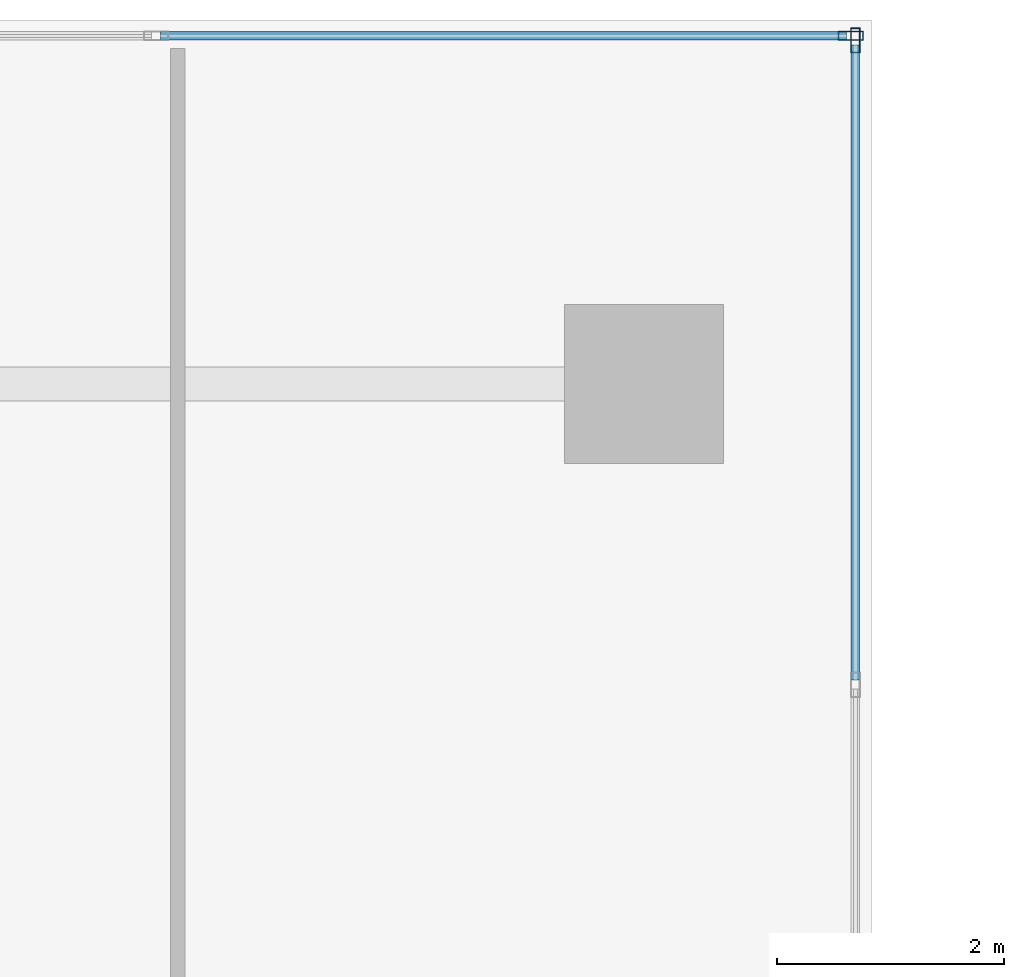
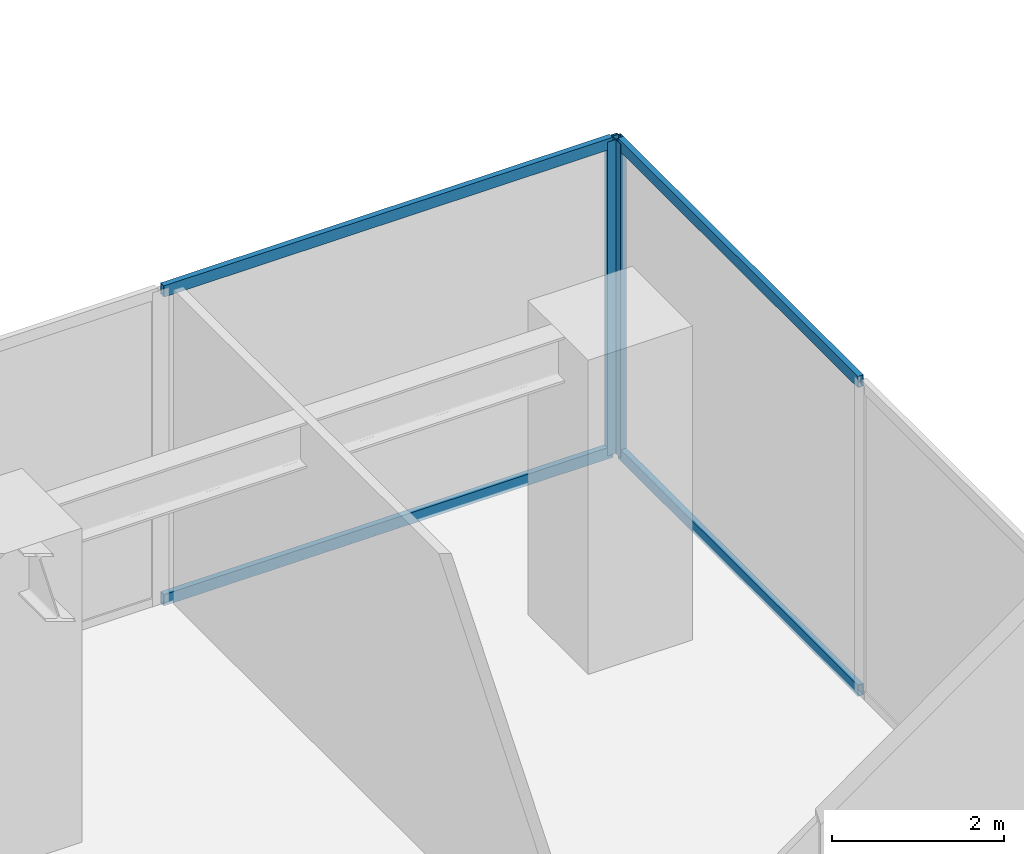
# One storey, part 7 of 16: 6 members, 2 elements without a shape of their own.
"""IFC4 building model written with IfcOpenShell, lengths in metres."""

import ifcopenshell
import ifcopenshell.guid

model = None  # the IFC model being written
_history = None  # IfcOwnerHistory: only IFC2X3 demands one
_inside = {}  # id of a spatial element -> (the spatial element, [elements in it])
_under = {}  # id of a project, library or spatial element -> (it, [spatial elements below it])
_declared = {}  # id of a project -> (the project, [libraries it declares])
_typed = {}  # id of a type object -> (the type object, [elements of that type])
_made_of = {}  # id of a material, layer set ... -> (it, [elements and type objects made of it])


def new_model(schema):
    """Start an empty IFC model of exactly this schema.

    Asked for "IFC4X3", IfcOpenShell would pick the latest addendum, in which some entities
    have other attributes; the version numbers below select the first issue.
    IFC2X3 requires an IfcOwnerHistory on every rooted entity: one is made here for all.
    """
    global model, _history
    if schema == "IFC4X3":
        model = ifcopenshell.file(schema_version=(4, 3, 0, 0))
    else:
        model = ifcopenshell.file(schema=schema)
    _inside.clear()
    _under.clear()
    _declared.clear()
    _typed.clear()
    _made_of.clear()
    _history = None
    if model.schema == "IFC2X3":
        org = make("IfcOrganization", Name="unknown")
        user = make(
            "IfcPersonAndOrganization",
            ThePerson=make("IfcPerson", FamilyName="unknown"),
            TheOrganization=org,
        )
        app = make(
            "IfcApplication",
            ApplicationDeveloper=org,
            Version="unknown",
            ApplicationFullName="unknown",
            ApplicationIdentifier="unknown",
        )
        _history = make(
            "IfcOwnerHistory",
            OwningUser=user,
            OwningApplication=app,
            ChangeAction="ADDED",
            CreationDate=0,
        )
    return model


def make(cls, **values):
    """One entity of the class cls with the attributes given. An attribute that is None is left unset."""
    return model.create_entity(
        cls, **{name: value for name, value in values.items() if value is not None}
    )


def rooted(cls, **values):
    """An entity with a GlobalId (a new one), such as an element, a storey or a relation."""
    return make(cls, GlobalId=ifcopenshell.guid.new(), OwnerHistory=_history, **values)


def si_unit(unit_type, name, prefix=None):
    """IfcSIUnit, for example si_unit("LENGTHUNIT", "METRE", prefix="MILLI")."""
    return make("IfcSIUnit", UnitType=unit_type, Prefix=prefix, Name=name)


def assignment(units):
    """IfcUnitAssignment: the units of a project."""
    return None if units is None else make("IfcUnitAssignment", Units=units)


def point(xyz):
    """IfcCartesianPoint."""
    return None if xyz is None else make("IfcCartesianPoint", Coordinates=xyz)


def direction(xyz):
    """IfcDirection."""
    return None if xyz is None else make("IfcDirection", DirectionRatios=xyz)


def frame(location, z_axis=None, x_axis=None):
    """IfcAxis2Placement3D, a coordinate frame: its origin and axes. An axis left out is left unset."""
    return make(
        "IfcAxis2Placement3D",
        Location=point(location),
        Axis=direction(z_axis),
        RefDirection=direction(x_axis),
    )


def frame_2d(location, x_axis=None):
    """IfcAxis2Placement2D, a coordinate frame in the plane: its origin and x axis."""
    return make(
        "IfcAxis2Placement2D", Location=point(location), RefDirection=direction(x_axis)
    )


def origin():
    """The frame at (0, 0, 0) with its axes left unset."""
    return frame((0.0, 0.0, 0.0))


def origin_with_axes():
    """The frame at (0, 0, 0) with the z axis (0, 0, 1) and the x axis (1, 0, 0) written out."""
    return frame((0.0, 0.0, 0.0), z_axis=(0.0, 0.0, 1.0), x_axis=(1.0, 0.0, 0.0))


def origin_2d():
    """The frame at (0, 0) in the plane with its x axis left unset."""
    return frame_2d((0.0, 0.0))


def place(relative_to, where):
    """IfcLocalPlacement: puts the frame where relative to a parent placement (None: the world)."""
    return make(
        "IfcLocalPlacement", PlacementRelTo=relative_to, RelativePlacement=where
    )


def context(
    kind, dimensions, precision=None, world=None, true_north=None, identifier=None
):
    """IfcGeometricRepresentationContext, for example the 3D "Model" context."""
    return make(
        "IfcGeometricRepresentationContext",
        ContextIdentifier=identifier,
        ContextType=kind,
        CoordinateSpaceDimension=dimensions,
        Precision=precision,
        WorldCoordinateSystem=world,
        TrueNorth=true_north,
    )


def subcontext(parent, identifier, kind, view, scale=None):
    """IfcGeometricRepresentationSubContext, for example "Body" below "Model"."""
    return make(
        "IfcGeometricRepresentationSubContext",
        ContextIdentifier=identifier,
        ContextType=kind,
        ParentContext=parent,
        TargetScale=scale,
        TargetView=view,
    )


def project(units=None, contexts=None):
    """IfcProject with its units and contexts."""
    return rooted(
        "IfcProject",
        Name="project",
        RepresentationContexts=contexts,
        UnitsInContext=assignment(units),
    )


def spatial(cls, under=None, at=None, **own):
    """A site, building, storey or space (cls), placed at a placement, below another one or the project."""
    s = rooted(cls, ObjectPlacement=at, **own)
    if under is not None:
        _under.setdefault(under.id(), (under, []))[1].append(s)
    return s


def profile(cls, at=None, kind="AREA", **sizes):
    """A parametric profile (cls). Its sizes go by their IFC names, for example OverallWidth=200.0."""
    return make(cls, ProfileType=kind, Position=at, **sizes)


def hollow_rectangle(**sizes):
    """IfcRectangleHollowProfileDef."""
    return profile("IfcRectangleHollowProfileDef", **sizes)


def extrude(swept, where, along, depth):
    """IfcExtrudedAreaSolid: the profile swept, set in the frame where, extruded along a direction by depth."""
    return make(
        "IfcExtrudedAreaSolid",
        SweptArea=swept,
        Position=where,
        ExtrudedDirection=direction(along),
        Depth=depth,
    )


def shape(context_of_items, identifier, shape_type, items):
    """IfcShapeRepresentation: the items that make up one representation, for example the "Body"."""
    return make(
        "IfcShapeRepresentation",
        ContextOfItems=context_of_items,
        RepresentationIdentifier=identifier,
        RepresentationType=shape_type,
        Items=items,
    )


def source(mapping_origin, context_of_items, identifier, shape_type, items):
    """IfcRepresentationMap: a shape defined once, which mapped items show again and again."""
    return make(
        "IfcRepresentationMap",
        MappingOrigin=mapping_origin,
        MappedRepresentation=shape(context_of_items, identifier, shape_type, items),
    )


def transform(
    local_origin,
    x_axis=None,
    y_axis=None,
    z_axis=None,
    scale=None,
    scale2=None,
    scale3=None,
    uniform=True,
):
    """IfcCartesianTransformationOperator3D, or its non-uniform kind. x_axis, y_axis, z_axis: its Axis1, 2, 3."""
    if uniform:
        return make(
            "IfcCartesianTransformationOperator3D",
            Axis1=direction(x_axis),
            Axis2=direction(y_axis),
            LocalOrigin=point(local_origin),
            Scale=scale,
            Axis3=direction(z_axis),
        )
    return make(
        "IfcCartesianTransformationOperator3DnonUniform",
        Axis1=direction(x_axis),
        Axis2=direction(y_axis),
        LocalOrigin=point(local_origin),
        Scale=scale,
        Axis3=direction(z_axis),
        Scale2=scale2,
        Scale3=scale3,
    )


def mapped(mapping_source, mapping_target):
    """IfcMappedItem: shows the shape of a source again, moved by a transform."""
    return make(
        "IfcMappedItem", MappingSource=mapping_source, MappingTarget=mapping_target
    )


def material(Name=None, Category=None):
    """IfcMaterial."""
    return make("IfcMaterial", Name=Name, Category=Category)


def layer(
    of_material, thickness, ventilated=None, Name=None, Category=None, Priority=None
):
    """IfcMaterialLayer: one layer of a wall or slab, of a material (None: an air gap)."""
    return make(
        "IfcMaterialLayer",
        Material=of_material,
        LayerThickness=thickness,
        IsVentilated=ventilated,
        Name=Name,
        Category=Category,
        Priority=Priority,
    )


def layer_set(layers, Name=None):
    """IfcMaterialLayerSet."""
    return make("IfcMaterialLayerSet", MaterialLayers=layers, LayerSetName=Name)


def material_profile(
    of_material, cross_section, Name=None, Category=None, Priority=None
):
    """IfcMaterialProfile: a cross section and its material."""
    return make(
        "IfcMaterialProfile",
        Name=Name,
        Material=of_material,
        Profile=cross_section,
        Priority=Priority,
        Category=Category,
    )


def profile_set(profiles, Name=None, composite=None):
    """IfcMaterialProfileSet."""
    return make(
        "IfcMaterialProfileSet",
        Name=Name,
        MaterialProfiles=profiles,
        CompositeProfile=composite,
    )


def made_of(thing, what):
    """Note that an element or type object is made of a material, layer set ...; save() writes the relation."""
    if what is not None:
        _made_of.setdefault(what.id(), (what, []))[1].append(thing)
    return thing


def type_object(cls, material=None, **own):
    """A type object (cls), such as IfcWallType, which elements share."""
    return made_of(rooted(cls, **own), material)


def element(
    cls,
    number,
    at=None,
    inside=None,
    cuts=None,
    type_object=None,
    material=None,
    context=None,
    identifier="Body",
    shape_type=None,
    held_by="IfcProductDefinitionShape",
    body=None,
    shapes=None,
    **own,
):
    """One element of the class cls, such as IfcWall. Its Tag is "e" and its number.

    at: its placement. inside: the storey or other place that contains it. cuts: it is an
    opening in that element (IfcRelVoidsElement). A single representation is given by context,
    identifier, shape_type and body (its items); several are given by shapes. held_by: the class
    of the entity that holds the representations. save() writes the other relations.
    """
    e = rooted(cls, Tag="e%d" % number, ObjectPlacement=at, **own)
    if body is not None:
        shapes = [shape(context, identifier, shape_type, body)]
    if shapes is not None:
        e.Representation = make(held_by, Representations=shapes)
    if inside is not None:
        _inside.setdefault(inside.id(), (inside, []))[1].append(e)
    if cuts is not None:
        rooted(
            "IfcRelVoidsElement", RelatingBuildingElement=cuts, RelatedOpeningElement=e
        )
    if type_object is not None:
        _typed.setdefault(type_object.id(), (type_object, []))[1].append(e)
    return made_of(e, material)


def aggregate(whole, parts):
    """IfcRelAggregates: a whole, such as a stair, and the parts it consists of."""
    return rooted("IfcRelAggregates", RelatingObject=whole, RelatedObjects=parts)


def save(model, path):
    """Write the relations noted so far, then the file.

    IfcRelAggregates (storeys below a building ...), IfcRelContainedInSpatialStructure (elements
    in a storey), IfcRelDefinesByType, IfcRelAssociatesMaterial and IfcRelDeclares: one each for
    every whole, place, type object, material and project.
    """
    for whole, parts in _under.values():
        aggregate(whole, parts)
    for where, things in _inside.values():
        rooted(
            "IfcRelContainedInSpatialStructure",
            RelatedElements=things,
            RelatingStructure=where,
        )
    for kind, things in _typed.values():
        rooted("IfcRelDefinesByType", RelatedObjects=things, RelatingType=kind)
    for what, things in _made_of.values():
        rooted("IfcRelAssociatesMaterial", RelatedObjects=things, RelatingMaterial=what)
    for by, libraries in _declared.values():
        rooted("IfcRelDeclares", RelatingContext=by, RelatedDefinitions=libraries)
    model.write(path)


model = new_model("IFC4")

# Units and contexts
model_context = context("Model", 3, precision=1e-05, world=origin(), true_north=direction((0.0, 1.0)))
body_context = subcontext(model_context, "Body", "Model", "MODEL_VIEW")
ifc_project = project(units=[si_unit("LENGTHUNIT", "METRE"), si_unit("AREAUNIT", "SQUARE_METRE"), si_unit("VOLUMEUNIT", "CUBIC_METRE"), si_unit("PLANEANGLEUNIT", "RADIAN"), si_unit("MASSUNIT", "GRAM", prefix="KILO")], contexts=[model_context])

# Site, building, storey
site_placement = place(None, origin())
site = spatial("IfcSite", under=ifc_project, at=site_placement, CompositionType="ELEMENT")
building_placement = place(site_placement, origin())
building = spatial("IfcBuilding", under=site, at=building_placement, Name="Kolvaren Waterfront Exchange", CompositionType="ELEMENT")
storey_placement = place(building_placement, frame((0.0, 0.0, 15.199951171875)))
storey = spatial("IfcBuildingStorey", under=building, at=storey_placement, Name="L04", CompositionType="ELEMENT", Elevation=15.199951171875)

# Curtain wall, member
ifc_material_1 = material(Name="Anodised bronze aluminium 6063-T6", Category="aluminium")
ifc_layer_1 = layer(ifc_material_1, 0.219970703125, Name="Anodised bronze aluminium 6063-T6")
ifc_layer_set_1 = layer_set([ifc_layer_1], Name="Anodised bronze aluminium 6063-T6")
curtain_wall_type_1 = type_object("IfcCurtainWallType", Name="ARC-CW-SYS4", PredefinedType="USERDEFINED", material=ifc_layer_set_1)
curtain_wall_1_placement = place(storey_placement, origin())
curtain_wall_1 = element("IfcCurtainWall", 1, at=curtain_wall_1_placement, inside=storey, type_object=curtain_wall_type_1, Name="L04 stick curtain wall CW4 (CW-L04-N1)", ObjectType="STICK CURTAIN WALL", PredefinedType="USERDEFINED")
ifc_material_2 = material(Name="Anodised aluminium 6063-T6", Category="aluminium")
ifc_material_profile_1 = material_profile(ifc_material_2, hollow_rectangle(XDim=0.080078125, YDim=0.219970703125, WallThickness=0.0048828125, at=origin_2d()), Name="ALU-MUL-220x80x5")
ifc_profile_set_1 = profile_set([ifc_material_profile_1], Name="Anodised aluminium 6063-T6")
member_type_1 = type_object("IfcMemberType", Name="ARC-CWM-220", PredefinedType="MULLION", material=ifc_profile_set_1)
shared_shape_1 = source(origin_with_axes(), body_context, "Body", "SweptSolid", [
    extrude(hollow_rectangle(XDim=0.080078125, YDim=0.219970703125, WallThickness=0.0048828125, at=origin_2d()), origin(), (0.0, 0.0, 1.0), 4.4599609375),
])
member_1_placement = place(storey_placement, frame((37.260009765625, 51.02001953125, 0.0), z_axis=(0.0, 0.0, 1.0), x_axis=(-1.0, 0.0, 0.0)))
member_1 = element("IfcMember", 2, at=member_1_placement, type_object=member_type_1, Name="CW4 mullion 3", PredefinedType="MULLION", context=body_context, shape_type="MappedRepresentation", body=[
    mapped(shared_shape_1, transform((0.0, 0.0, 0.0), x_axis=(1.0, 0.0, 0.0), y_axis=(0.0, 1.0, 0.0), z_axis=(0.0, 0.0, 1.0), scale=1.0)),
])

ifc_layer_2 = layer(ifc_material_1, 0.219970703125, Name="Anodised bronze aluminium 6063-T6")
ifc_layer_set_2 = layer_set([ifc_layer_2], Name="Anodised bronze aluminium 6063-T6")
curtain_wall_type_2 = type_object("IfcCurtainWallType", Name="ARC-CW-SYS1", PredefinedType="USERDEFINED", material=ifc_layer_set_2)
curtain_wall_2_placement = place(storey_placement, origin())
curtain_wall_2 = element("IfcCurtainWall", 3, at=curtain_wall_2_placement, inside=storey, type_object=curtain_wall_type_2, Name="L04 stick curtain wall CW1 (CW-L04-N2)", ObjectType="STICK CURTAIN WALL", PredefinedType="USERDEFINED")
member_2_placement = place(storey_placement, frame((37.219970703125, 51.06005859375, 0.0), z_axis=(0.0, 0.0, 1.0), x_axis=(0.0, -1.0, 0.0)))
member_2 = element("IfcMember", 4, at=member_2_placement, type_object=member_type_1, Name="CW1 mullion 1", PredefinedType="MULLION", context=body_context, shape_type="MappedRepresentation", body=[
    mapped(shared_shape_1, transform((0.0, 0.0, 0.0), x_axis=(1.0, 0.0, 0.0), y_axis=(0.0, 1.0, 0.0), z_axis=(0.0, 0.0, 1.0), scale=1.0)),
])

# Member
ifc_material_profile_2 = material_profile(ifc_material_2, hollow_rectangle(XDim=0.074951171875, YDim=0.159912109375, WallThickness=0.00439453125, at=origin_2d()), Name="ALU-TRN-160x75x4.5")
ifc_profile_set_2 = profile_set([ifc_material_profile_2], Name="Anodised aluminium 6063-T6")
member_type_2 = type_object("IfcMemberType", Name="ARC-CWT-160", PredefinedType="USERDEFINED", material=ifc_profile_set_2)
shared_shape_2 = source(origin_with_axes(), body_context, "Body", "SweptSolid", [
    extrude(hollow_rectangle(XDim=0.074951171875, YDim=0.159912109375, WallThickness=0.00439453125, at=origin_2d()), origin(), (0.0, 0.0, 1.0), 5.5849609375),
])
member_3_placement = place(storey_placement, frame((37.260009765625, 45.39501953125, 0.03759765625), z_axis=(0.0, 1.0, 0.0), x_axis=(-1.0, 0.0, 0.0)))
member_3 = element("IfcMember", 5, at=member_3_placement, type_object=member_type_2, Name="CW4 transom 2.1", ObjectType="TRANSOM", PredefinedType="USERDEFINED", context=body_context, shape_type="MappedRepresentation", body=[
    mapped(shared_shape_2, transform((0.0, 0.0, 0.0), x_axis=(1.0, 0.0, 0.0), y_axis=(0.0, 1.0, 0.0), z_axis=(0.0, 0.0, 1.0), scale=1.0)),
])

member_4_placement = place(storey_placement, frame((37.260009765625, 45.39501953125, 4.422607421875), z_axis=(0.0, 1.0, 0.0), x_axis=(-1.0, 0.0, 0.0)))
member_4 = element("IfcMember", 6, at=member_4_placement, type_object=member_type_2, Name="CW4 transom 2.2", ObjectType="TRANSOM", PredefinedType="USERDEFINED", context=body_context, shape_type="MappedRepresentation", body=[
    mapped(shared_shape_2, transform((0.0, 0.0, 0.0), x_axis=(1.0, 0.0, 0.0), y_axis=(0.0, 1.0, 0.0), z_axis=(0.0, 0.0, 1.0), scale=1.0)),
])

aggregate(curtain_wall_1, [member_1, member_3, member_4])

shared_shape_3 = source(origin_with_axes(), body_context, "Body", "SweptSolid", [
    extrude(hollow_rectangle(XDim=0.074951171875, YDim=0.159912109375, WallThickness=0.00439453125, at=origin_2d()), origin(), (0.0, 0.0, 1.0), 6.031494140625),
])
member_5_placement = place(storey_placement, frame((37.179931640625, 51.06005859375, 0.03759765625), z_axis=(-1.0, 0.0, 0.0), x_axis=(0.0, -1.0, 0.0)))
member_5 = element("IfcMember", 7, at=member_5_placement, type_object=member_type_2, Name="CW1 transom 1.1", ObjectType="TRANSOM", PredefinedType="USERDEFINED", context=body_context, shape_type="MappedRepresentation", body=[
    mapped(shared_shape_3, transform((0.0, 0.0, 0.0), x_axis=(1.0, 0.0, 0.0), y_axis=(0.0, 1.0, 0.0), z_axis=(0.0, 0.0, 1.0), scale=1.0)),
])

member_6_placement = place(storey_placement, frame((37.179931640625, 51.06005859375, 4.422607421875), z_axis=(-1.0, 0.0, 0.0), x_axis=(0.0, -1.0, 0.0)))
member_6 = element("IfcMember", 8, at=member_6_placement, type_object=member_type_2, Name="CW1 transom 1.2", ObjectType="TRANSOM", PredefinedType="USERDEFINED", context=body_context, shape_type="MappedRepresentation", body=[
    mapped(shared_shape_3, transform((0.0, 0.0, 0.0), x_axis=(1.0, 0.0, 0.0), y_axis=(0.0, 1.0, 0.0), z_axis=(0.0, 0.0, 1.0), scale=1.0)),
])

aggregate(curtain_wall_2, [member_2, member_5, member_6])

save(model, "model.ifc")
